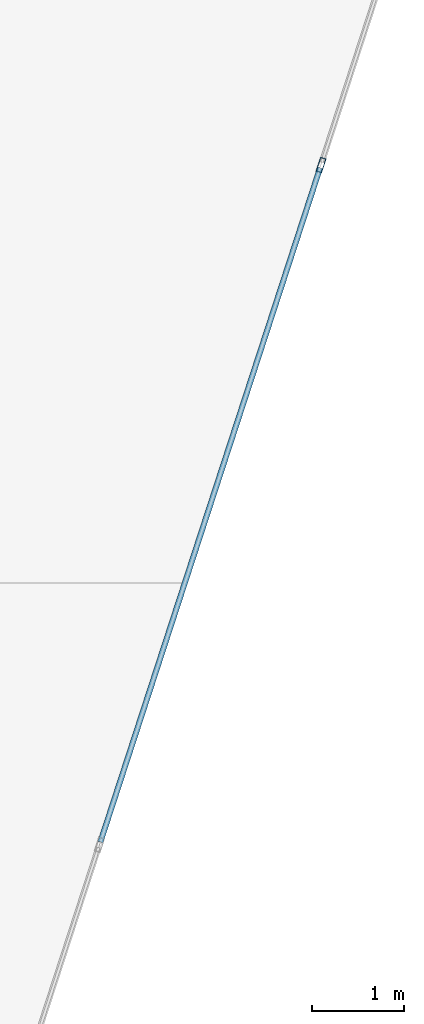
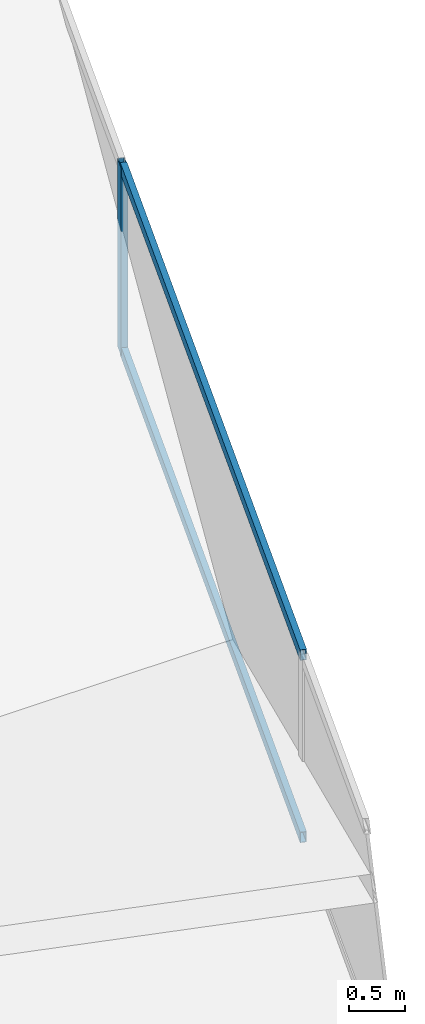
# One storey, part 6 of 13: 3 members, 1 element without a shape of its own.
"""IFC4 building model written with IfcOpenShell, lengths in metres."""

from ifc_helpers import new_model, si_unit, direction, frame, origin, origin_2d, place, context, subcontext, project, spatial, hollow_rectangle, extrude, material, layer, layer_set, material_profile, profile_set, type_object, element, aggregate, save


model = new_model("IFC4")

# Units and contexts
model_context = context("Model", 3, precision=1e-05, world=origin(), true_north=direction((0.0, 1.0)))
body_context = subcontext(model_context, "Body", "Model", "MODEL_VIEW")
ifc_project = project(units=[si_unit("LENGTHUNIT", "METRE"), si_unit("AREAUNIT", "SQUARE_METRE"), si_unit("VOLUMEUNIT", "CUBIC_METRE"), si_unit("PLANEANGLEUNIT", "RADIAN"), si_unit("MASSUNIT", "GRAM", prefix="KILO")], contexts=[model_context])

# Site, building, storey
site_placement = place(None, origin())
site = spatial("IfcSite", under=ifc_project, at=site_placement, CompositionType="ELEMENT")
building_placement = place(site_placement, origin())
building = spatial("IfcBuilding", under=site, at=building_placement, Name="Qianvela Tower", CompositionType="ELEMENT")
storey_placement = place(building_placement, frame((0.0, 0.0, 375.050048828125)))
storey = spatial("IfcBuildingStorey", under=building, at=storey_placement, Name="L97", CompositionType="ELEMENT", Elevation=375.050048828125)

# Curtain wall, members
ifc_material_1 = material(Name="Anodised Architectural Aluminium and Low-E Glass", Category="aluminium")
ifc_layer = layer(ifc_material_1, 0.159912109375)
ifc_layer_set = layer_set([ifc_layer], Name="Anodised Architectural Aluminium and Low-E Glass")
curtain_wall_type = type_object("IfcCurtainWallType", Name="CW-CROWN", PredefinedType="USERDEFINED", material=ifc_layer_set)
curtain_wall_placement = place(storey_placement, origin())
curtain_wall = element("IfcCurtainWall", 1, at=curtain_wall_placement, inside=storey, type_object=curtain_wall_type, Name="L97 CW-CROWN Curtain Wall 06", ObjectType="CURTAIN_WALL_SYSTEM", PredefinedType="USERDEFINED")
ifc_material_2 = material(Name="Anodised Architectural Aluminium 6063-T6", Category="aluminium")
ifc_material_profile_1 = material_profile(ifc_material_2, hollow_rectangle(XDim=0.06494140625, YDim=0.159912109375, WallThickness=0.0048828125, at=origin_2d()), Name="ALU-MULL-65x160")
ifc_profile_set_1 = profile_set([ifc_material_profile_1], Name="Anodised Architectural Aluminium 6063-T6")
member_type_1 = type_object("IfcMemberType", Name="CW-CROWN-MULL", PredefinedType="MULLION", material=ifc_profile_set_1)
member_1_placement = place(storey_placement, frame((46.6376953125, 24.56494140625, 0.0), z_axis=(0.0, 0.0, 1.0), x_axis=(-0.950786737513, 0.30984605818, 0.0)))
member_1 = element("IfcMember", 2, at=member_1_placement, type_object=member_type_1, Name="CW-8 mullion 3", PredefinedType="MULLION", context=body_context, shape_type="SweptSolid", body=[
    extrude(hollow_rectangle(XDim=0.06494140625, YDim=0.159912109375, WallThickness=0.0048828125, at=origin_2d()), origin(), (0.0, 0.0, 1.0), 2.043701171875),
])
ifc_material_3 = material(Name="Anodised Architectural Aluminium 6063-T6", Category="aluminium")
ifc_material_profile_2 = material_profile(ifc_material_3, hollow_rectangle(XDim=0.06005859375, YDim=0.114990234375, WallThickness=0.00390625, at=origin_2d()), Name="ALU-TRAN-60x115")
ifc_profile_set_2 = profile_set([ifc_material_profile_2], Name="Anodised Architectural Aluminium 6063-T6")
member_type_2 = type_object("IfcMemberType", Name="CW-CROWN-TRAN", PredefinedType="USERDEFINED", material=ifc_profile_set_2)
member_2_placement = place(storey_placement, frame((44.228515625, 17.17236328125, 0.030029296875), z_axis=(0.30986383864, 0.950780942964, 0.0), x_axis=(-0.950780942964, 0.30986383864, 0.0)))
member_2 = element("IfcMember", 3, at=member_2_placement, type_object=member_type_2, Name="CW-8 transom 2.1", ObjectType="TRANSOM", PredefinedType="USERDEFINED", context=body_context, shape_type="SweptSolid", body=[
    extrude(hollow_rectangle(XDim=0.06005859375, YDim=0.114990234375, WallThickness=0.00390625, at=origin_2d()), origin(), (0.0, 0.0, 1.0), 7.74267578125),
])
member_3_placement = place(storey_placement, frame((44.228515625, 17.17236328125, 2.013671875), z_axis=(0.30986383864, 0.950780942964, 0.0), x_axis=(-0.950780942964, 0.30986383864, 0.0)))
member_3 = element("IfcMember", 4, at=member_3_placement, type_object=member_type_2, Name="CW-8 transom 2.2", ObjectType="TRANSOM", PredefinedType="USERDEFINED", context=body_context, shape_type="SweptSolid", body=[
    extrude(hollow_rectangle(XDim=0.06005859375, YDim=0.114990234375, WallThickness=0.00390625, at=origin_2d()), origin(), (0.0, 0.0, 1.0), 7.74267578125),
])
aggregate(curtain_wall, [member_1, member_2, member_3])

save(model, "model.ifc")
